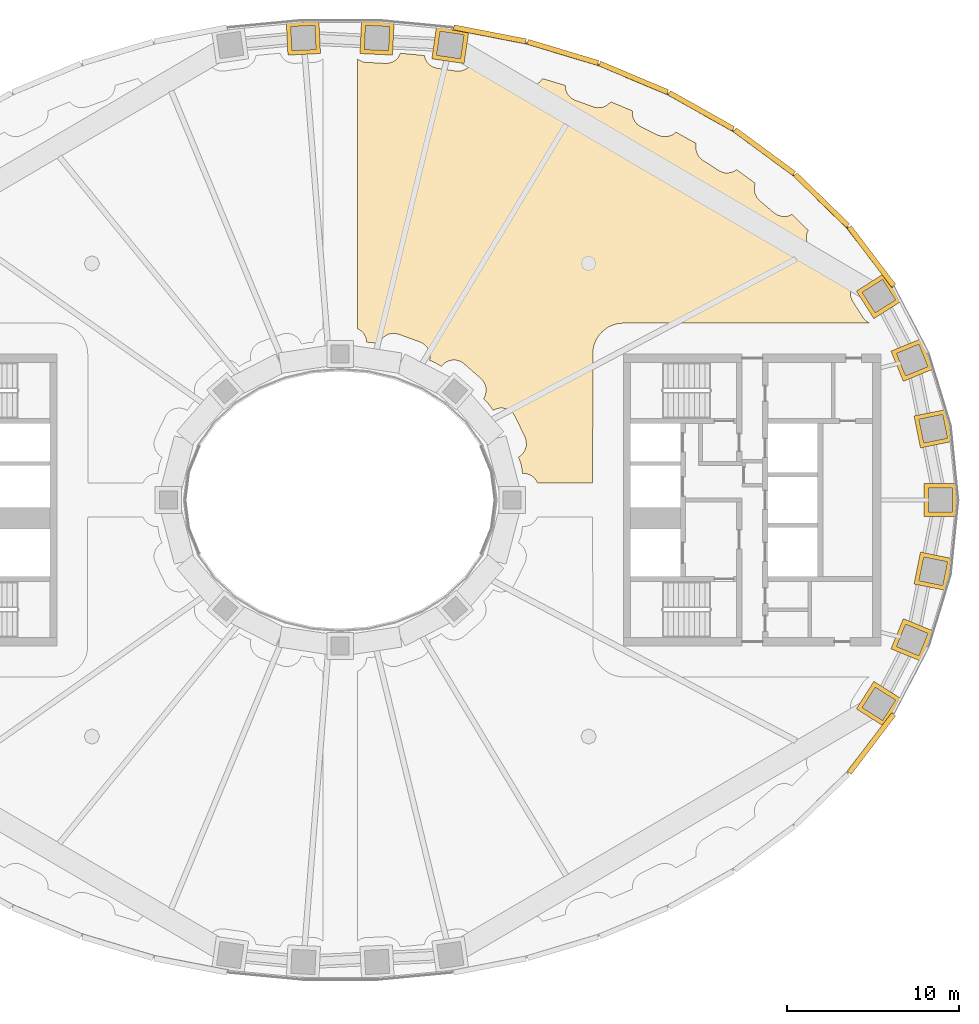
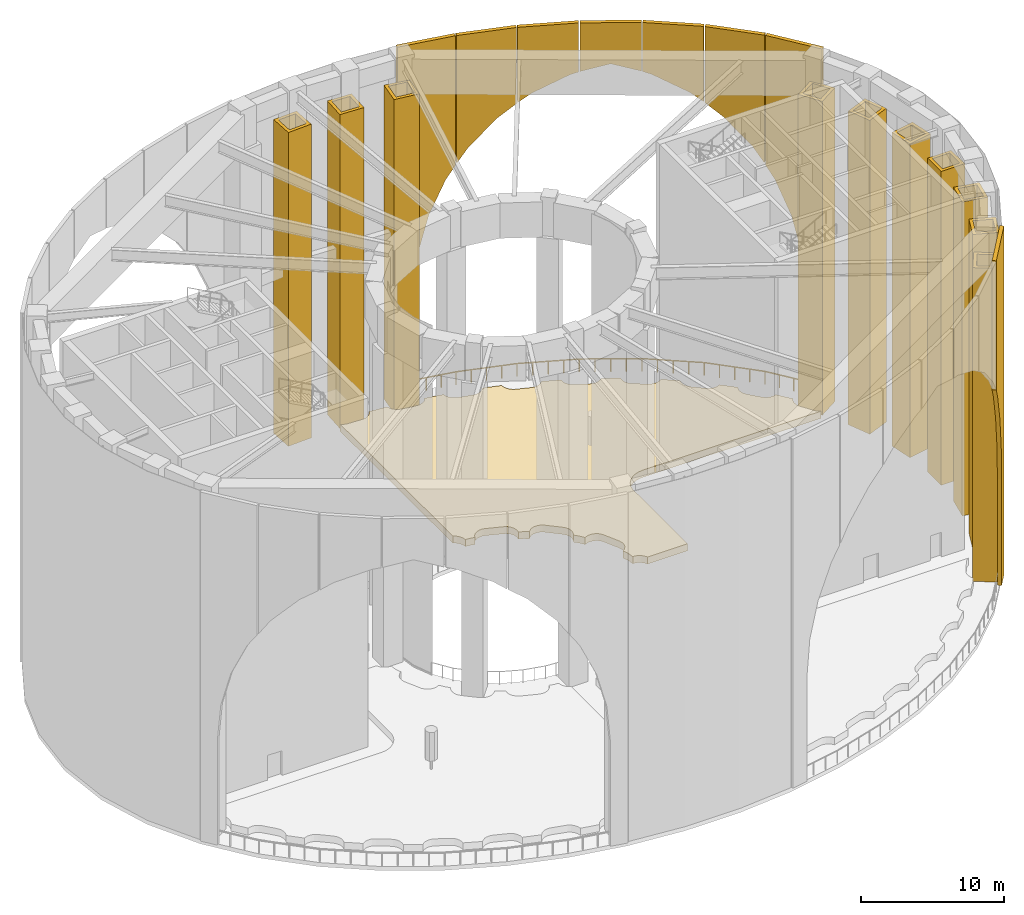
# One storey, part 25 of 26: 19 coverings, 1 railing.
"""IFC4 building model written with IfcOpenShell, lengths in metres."""

from ifc_helpers import new_model, si_unit, direction, frame, origin, origin_2d, place, context, subcontext, project, spatial, polyline, rectangle, outline, extrude, material, layer, layer_set, type_object, element, save


model = new_model("IFC4")

# Units and contexts
model_context = context("Model", 3, precision=1e-05, world=origin(), true_north=direction((0.0, 1.0)))
body_context = subcontext(model_context, "Body", "Model", "MODEL_VIEW")
ifc_project = project(units=[si_unit("LENGTHUNIT", "METRE"), si_unit("AREAUNIT", "SQUARE_METRE"), si_unit("VOLUMEUNIT", "CUBIC_METRE"), si_unit("PLANEANGLEUNIT", "RADIAN"), si_unit("MASSUNIT", "GRAM", prefix="KILO")], contexts=[model_context])

# Site, building, storey
site_placement = place(None, origin())
site = spatial("IfcSite", under=ifc_project, at=site_placement, CompositionType="ELEMENT")
building_placement = place(site_placement, origin())
building = spatial("IfcBuilding", under=site, at=building_placement, Name="Noorbagh Ring Tower", CompositionType="ELEMENT")
storey_placement = place(building_placement, frame((0.0, 0.0, 203.5)))
storey = spatial("IfcBuildingStorey", under=building, at=storey_placement, Name="L47", CompositionType="ELEMENT", Elevation=203.5)

# Railing
ifc_material_1 = material(Name="Stainless steel 316", Category="steel")
railing_type = type_object("IfcRailingType", Name="ENV-GUARD-TERRACE", PredefinedType="GUARDRAIL", material=ifc_material_1)
railing_placement = place(storey_placement, frame((32.153564453125, 12.370361328125, 0.0)))
element("IfcRailing", 1, at=railing_placement, inside=storey, type_object=railing_type, Name="Terrace guard arc 1", PredefinedType="GUARDRAIL", context=body_context, shape_type="SweptSolid", body=[
    extrude(rectangle(XDim=0.048095703125, YDim=0.048095703125, at=origin_2d()), frame((0.0, 0.0, 1.076171875), z_axis=(-0.604055847, 0.796941988921, 0.0), x_axis=(-0.796941988921, -0.604055847, 0.0)), (0.0, 0.0, 1.0), 4.3642578125),
    extrude(rectangle(XDim=0.048095703125, YDim=0.048095703125, at=origin_2d()), frame((-2.63623046875, 3.47802734375, 1.076171875), z_axis=(-0.717208327463, 0.696858820004, 0.0), x_axis=(-0.696858820004, -0.717208327463, 0.0)), (0.0, 0.0, 1.0), 4.366943359375),
    extrude(rectangle(XDim=0.048095703125, YDim=0.048095703125, at=origin_2d()), frame((-5.768310546875, 6.521240234375, 1.076171875), z_axis=(-0.80514009704, 0.593084668609, 0.0), x_axis=(-0.593084668609, -0.80514009704, 0.0)), (0.0, 0.0, 1.0), 4.369140625),
    extrude(rectangle(XDim=0.048095703125, YDim=0.048095703125, at=origin_2d()), frame((-9.2861328125, 9.112548828125, 1.076171875), z_axis=(-0.872049444011, 0.489417783903, 0.0), x_axis=(-0.489417783903, -0.872049444011, 0.0)), (0.0, 0.0, 1.0), 4.371337890625),
    extrude(rectangle(XDim=0.048095703125, YDim=0.048095703125, at=origin_2d()), frame((-13.09814453125, 11.251953125, 1.076171875), z_axis=(-0.921826545382, 0.387602657665, 0.0), x_axis=(-0.387602657665, -0.921826545382, 0.0)), (0.0, 0.0, 1.0), 4.37255859375),
    extrude(rectangle(XDim=0.048095703125, YDim=0.048095703125, at=origin_2d()), frame((-17.12890625, 12.94677734375, 1.076171875), z_axis=(-0.957572423234, 0.288192738045, 0.0), x_axis=(-0.288192738045, -0.957572423234, 0.0)), (0.0, 0.0, 1.0), 4.373779296875),
    extrude(rectangle(XDim=0.048095703125, YDim=0.048095703125, at=origin_2d()), frame((-21.317138671875, 14.207275390625, 1.076171875), z_axis=(-0.981624683619, 0.190821855429, 0.0), x_axis=(-0.190821855429, -0.981624683619, 0.0)), (0.0, 0.0, 1.0), 4.374267578125),
    extrude(rectangle(XDim=0.0419921875, YDim=0.0419921875, at=origin_2d()), origin(), (0.0, 0.0, 1.0), 1.052001953125),
    extrude(rectangle(XDim=0.0419921875, YDim=0.0419921875, at=origin_2d()), frame((-0.6591796875, 0.86962890625, 0.0)), (0.0, 0.0, 1.0), 1.052001953125),
    extrude(rectangle(XDim=0.0419921875, YDim=0.0419921875, at=origin_2d()), frame((-1.318115234375, 1.739013671875, 0.0)), (0.0, 0.0, 1.0), 1.052001953125),
    extrude(rectangle(XDim=0.0419921875, YDim=0.0419921875, at=origin_2d()), frame((-1.97705078125, 2.6083984375, 0.0)), (0.0, 0.0, 1.0), 1.052001953125),
    extrude(rectangle(XDim=0.0419921875, YDim=0.0419921875, at=origin_2d()), frame((-2.63623046875, 3.47802734375, 0.0)), (0.0, 0.0, 1.0), 1.052001953125),
    extrude(rectangle(XDim=0.0419921875, YDim=0.0419921875, at=origin_2d()), frame((-3.419189453125, 4.23876953125, 0.0)), (0.0, 0.0, 1.0), 1.052001953125),
    extrude(rectangle(XDim=0.0419921875, YDim=0.0419921875, at=origin_2d()), frame((-4.2021484375, 4.99951171875, 0.0)), (0.0, 0.0, 1.0), 1.052001953125),
    extrude(rectangle(XDim=0.0419921875, YDim=0.0419921875, at=origin_2d()), frame((-4.9853515625, 5.760498046875, 0.0)), (0.0, 0.0, 1.0), 1.052001953125),
    extrude(rectangle(XDim=0.0419921875, YDim=0.0419921875, at=origin_2d()), frame((-5.768310546875, 6.521240234375, 0.0)), (0.0, 0.0, 1.0), 1.052001953125),
    extrude(rectangle(XDim=0.0419921875, YDim=0.0419921875, at=origin_2d()), frame((-6.647705078125, 7.1689453125, 0.0)), (0.0, 0.0, 1.0), 1.052001953125),
    extrude(rectangle(XDim=0.0419921875, YDim=0.0419921875, at=origin_2d()), frame((-7.52734375, 7.81689453125, 0.0)), (0.0, 0.0, 1.0), 1.052001953125),
    extrude(rectangle(XDim=0.0419921875, YDim=0.0419921875, at=origin_2d()), frame((-8.40673828125, 8.46484375, 0.0)), (0.0, 0.0, 1.0), 1.052001953125),
    extrude(rectangle(XDim=0.0419921875, YDim=0.0419921875, at=origin_2d()), frame((-9.2861328125, 9.112548828125, 0.0)), (0.0, 0.0, 1.0), 1.052001953125),
    extrude(rectangle(XDim=0.0419921875, YDim=0.0419921875, at=origin_2d()), frame((-10.2392578125, 9.6474609375, 0.0)), (0.0, 0.0, 1.0), 1.052001953125),
    extrude(rectangle(XDim=0.0419921875, YDim=0.0419921875, at=origin_2d()), frame((-11.192138671875, 10.18212890625, 0.0)), (0.0, 0.0, 1.0), 1.052001953125),
    extrude(rectangle(XDim=0.0419921875, YDim=0.0419921875, at=origin_2d()), frame((-12.14501953125, 10.717041015625, 0.0)), (0.0, 0.0, 1.0), 1.052001953125),
    extrude(rectangle(XDim=0.0419921875, YDim=0.0419921875, at=origin_2d()), frame((-13.09814453125, 11.251953125, 0.0)), (0.0, 0.0, 1.0), 1.052001953125),
    extrude(rectangle(XDim=0.0419921875, YDim=0.0419921875, at=origin_2d()), frame((-14.10595703125, 11.67578125, 0.0)), (0.0, 0.0, 1.0), 1.052001953125),
    extrude(rectangle(XDim=0.0419921875, YDim=0.0419921875, at=origin_2d()), frame((-15.113525390625, 12.099365234375, 0.0)), (0.0, 0.0, 1.0), 1.052001953125),
    extrude(rectangle(XDim=0.0419921875, YDim=0.0419921875, at=origin_2d()), frame((-16.12109375, 12.52294921875, 0.0)), (0.0, 0.0, 1.0), 1.052001953125),
    extrude(rectangle(XDim=0.0419921875, YDim=0.0419921875, at=origin_2d()), frame((-17.12890625, 12.94677734375, 0.0)), (0.0, 0.0, 1.0), 1.052001953125),
    extrude(rectangle(XDim=0.0419921875, YDim=0.0419921875, at=origin_2d()), frame((-18.176025390625, 13.261962890625, 0.0)), (0.0, 0.0, 1.0), 1.052001953125),
    extrude(rectangle(XDim=0.0419921875, YDim=0.0419921875, at=origin_2d()), frame((-19.22314453125, 13.5771484375, 0.0)), (0.0, 0.0, 1.0), 1.052001953125),
    extrude(rectangle(XDim=0.0419921875, YDim=0.0419921875, at=origin_2d()), frame((-20.27001953125, 13.89208984375, 0.0)), (0.0, 0.0, 1.0), 1.052001953125),
    extrude(rectangle(XDim=0.0419921875, YDim=0.0419921875, at=origin_2d()), frame((-21.317138671875, 14.207275390625, 0.0)), (0.0, 0.0, 1.0), 1.052001953125),
    extrude(rectangle(XDim=0.0419921875, YDim=0.0419921875, at=origin_2d()), frame((-22.390625, 14.416015625, 0.0)), (0.0, 0.0, 1.0), 1.052001953125),
    extrude(rectangle(XDim=0.0419921875, YDim=0.0419921875, at=origin_2d()), frame((-23.464111328125, 14.62451171875, 0.0)), (0.0, 0.0, 1.0), 1.052001953125),
    extrude(rectangle(XDim=0.0419921875, YDim=0.0419921875, at=origin_2d()), frame((-24.53759765625, 14.833251953125, 0.0)), (0.0, 0.0, 1.0), 1.052001953125),
    extrude(rectangle(XDim=0.0419921875, YDim=0.0419921875, at=origin_2d()), frame((-25.611083984375, 15.0419921875, 0.0)), (0.0, 0.0, 1.0), 1.052001953125),
])

# Coverings
ifc_material_2 = material(Name="Concrete C30/37 planter with soil", Category="concrete")
covering_type_1 = type_object("IfcCoveringType", Name="ENV-PLANTER", PredefinedType="CLADDING", material=ifc_material_2)
covering_1_placement = place(storey_placement, origin())
element("IfcCovering", 2, at=covering_1_placement, inside=storey, type_object=covering_type_1, Name="PLANTER bed 04", ObjectType="PLANTER", PredefinedType="CLADDING", context=body_context, shape_type="SweptSolid", body=[
    extrude(outline(polyline([(1.0, 25.677734375), (1.265625, 25.52685546875), (1.43701171875, 25.484375), (2.62353515625, 25.423583984375), (2.7998046875, 25.432373046875), (3.052490234375, 25.509521484375), (3.20361328125, 25.600341796875), (3.39013671875, 25.787353515625), (3.51171875, 26.013916015625), (4.898193359375, 25.881591796875), (4.97412109375, 25.637451171875), (5.065185546875, 25.486328125), (5.252685546875, 25.30029296875), (5.404296875, 25.210205078125), (5.657470703125, 25.134521484375), (6.74609375, 24.97705078125), (7.01025390625, 24.97802734375), (7.2626953125, 25.0556640625), (7.481689453125, 25.203125), (7.599853515625, 25.33447265625), (7.68603515625, 25.478515625), (9.0498046875, 25.21337890625), (9.10107421875, 24.965576171875), (9.226318359375, 24.73291015625), (9.41357421875, 24.546875), (9.64697265625, 24.423095703125), (10.799560546875, 24.134033203125), (11.0625, 24.10888671875), (11.23681640625, 24.135498046875), (11.48046875, 24.2373046875), (11.621826171875, 24.343017578125), (11.78271484375, 24.53857421875), (13.10693359375, 24.139892578125), (13.132568359375, 23.89208984375), (13.233154296875, 23.64794921875), (13.400390625, 23.443603515625), (13.619873046875, 23.29638671875), (14.736572265625, 22.890380859375), (14.99560546875, 22.83837890625), (15.25830078125, 22.864013671875), (15.424560546875, 22.923095703125), (15.575927734375, 23.013427734375), (15.75341796875, 23.188232421875), (17.019775390625, 22.65576171875), (17.018798828125, 22.412353515625), (17.059326171875, 22.240478515625), (17.180908203125, 22.006103515625), (17.297607421875, 21.873779296875), (17.515380859375, 21.724365234375), (18.503662109375, 21.2412109375), (18.75537109375, 21.1611328125), (19.019287109375, 21.15771484375), (19.273193359375, 21.231201171875), (19.425537109375, 21.320068359375), (19.54296875, 21.422119140625), (20.72998046875, 20.755859375), (20.701904296875, 20.521484375), (20.74462890625, 20.260986328125), (20.861572265625, 20.024169921875), (21.0419921875, 19.831298828125), (22.0380859375, 19.183349609375), (22.278564453125, 19.07421875), (22.4521484375, 19.04248046875), (22.7158203125, 19.059814453125), (22.883544921875, 19.11376953125), (23.085205078125, 19.235595703125), (24.168212890625, 18.43798828125), (24.11328125, 18.21826171875), (24.110595703125, 18.0419921875), (24.142333984375, 17.868408203125), (24.251708984375, 17.627685546875), (24.42578125, 17.429443359375), (25.26513671875, 16.718505859375), (25.489501953125, 16.5791015625), (25.744873046875, 16.510986328125), (26.0087890625, 16.519775390625), (26.17822265625, 16.568359375), (26.302001953125, 16.6298828125), (27.25244140625, 15.706787109375), (27.19873046875, 15.59130859375), (27.15380859375, 15.420654296875), (27.150634765625, 15.156494140625), (27.224365234375, 14.903076171875), (27.368408203125, 14.681640625), (28.097412109375, 13.85791015625), (28.29931640625, 13.687744140625), (28.4580078125, 13.6103515625), (28.71630859375, 13.555908203125), (28.892578125, 13.5625), (29.10009765625, 13.617431640625), (29.886474609375, 12.580078125), (29.783203125, 12.40576171875), (29.712890625, 12.151123046875), (29.71923828125, 11.88720703125), (29.766357421875, 11.717041015625), (29.845703125, 11.5595703125), (30.4853515625, 10.55810546875), (30.607177734375, 10.430419921875), (30.80859375, 10.300048828125), (16.5, 10.300048828125), (16.148681640625, 10.265380859375), (15.9775390625, 10.222412109375), (15.651611328125, 10.08740234375), (15.5, 9.99658203125), (15.227294921875, 9.772705078125), (15.00341796875, 9.5), (14.91259765625, 9.348388671875), (14.777587890625, 9.0224609375), (14.708740234375, 8.676513671875), (14.699951171875, 1.0), (11.4873046875, 1.0), (11.35400390625, 1.220947265625), (11.158447265625, 1.398193359375), (10.919677734375, 1.51123046875), (10.74658203125, 1.545654296875), (10.61376953125, 1.550048828125), (10.55078125, 1.985595703125), (10.5126953125, 2.13134765625), (10.375244140625, 2.492431640625), (10.478515625, 2.5576171875), (10.609130859375, 2.67626953125), (10.755615234375, 2.89599609375), (10.831787109375, 3.14892578125), (10.83154296875, 3.4130859375), (10.754638671875, 3.66552734375), (10.155517578125, 4.91796875), (10.05029296875, 5.0595703125), (9.91943359375, 5.177978515625), (9.76806640625, 5.268310546875), (9.601806640625, 5.32763671875), (9.42724609375, 5.353271484375), (9.251220703125, 5.344482421875), (9.080078125, 5.30126953125), (8.904541015625, 5.222900390625), (8.61474609375, 5.61767578125), (8.341552734375, 5.884765625), (8.451416015625, 6.102294921875), (8.4990234375, 6.3623046875), (8.468994140625, 6.62451171875), (8.364501953125, 6.8671875), (8.19384765625, 7.068603515625), (7.21728515625, 7.927001953125), (7.07421875, 8.030029296875), (6.91357421875, 8.10302734375), (6.74169921875, 8.143310546875), (6.5654296875, 8.1494140625), (6.391357421875, 8.120849609375), (6.22607421875, 8.058837890625), (6.076171875, 7.9658203125), (5.88671875, 7.7763671875), (5.518798828125, 7.9990234375), (5.207275390625, 8.133544921875), (5.23388671875, 8.391357421875), (5.184326171875, 8.650634765625), (5.0615234375, 8.884521484375), (4.876220703125, 9.07275390625), (4.644287109375, 9.198974609375), (3.339111328125, 9.672119140625), (3.164794921875, 9.699462890625), (2.988525390625, 9.69189453125), (2.817138671875, 9.650390625), (2.656982421875, 9.576171875), (2.5146484375, 9.47216796875), (2.395263671875, 9.34228515625), (2.303466796875, 9.191650390625), (2.2568359375, 9.0771484375), (1.889404296875, 9.1572265625), (1.54833984375, 9.188232421875), (1.51123046875, 9.4140625), (1.398193359375, 9.65283203125), (1.220947265625, 9.8486328125), (1.0, 9.981689453125), (1.0, 25.677734375)])), origin(), (0.0, 0.0, 1.0), 0.60009765625),
])
ifc_material_3 = material(Name="Sandstone cladding", Category="masonry")
ifc_layer_1 = layer(ifc_material_3, 0.300048828125)
ifc_layer_set_1 = layer_set([ifc_layer_1], Name="Sandstone cladding")
covering_type_2 = type_object("IfcCoveringType", Name="STYLE-IWAN", PredefinedType="CLADDING", material=ifc_layer_set_1)
covering_2_placement = place(storey_placement, frame((30.811767578125, 14.0908203125, 0.0), z_axis=(0.796969018776, 0.604020184358, 0.0), x_axis=(-0.604020184358, 0.796969018776, 0.0)))
element("IfcCovering", 3, at=covering_2_placement, inside=storey, type_object=covering_type_2, Name="Gateway frame F04", ObjectType="ARCH", PredefinedType="CLADDING", context=body_context, shape_type="SweptSolid", body=[
    extrude(outline(polyline([(-2.1416015625, 0.0), (-0.846435546875, 0.0), (-0.846435546875, 9.0), (-0.5908203125, 11.985595703125), (0.16845703125, 14.884521484375), (1.409423828125, 17.61181640625), (2.1416015625, 18.687255859375), (2.1416015625, 29.699951171875), (-2.1416015625, 29.699951171875), (-2.1416015625, 0.0)])), origin(), (0.0, 0.0, 1.0), 0.300048828125),
])
covering_3_placement = place(storey_placement, frame((27.930908203125, 17.34814453125, 0.0), z_axis=(0.696842125038, 0.717224548362, 0.0), x_axis=(-0.717224548362, 0.696842125038, 0.0)))
element("IfcCovering", 4, at=covering_3_placement, inside=storey, type_object=covering_type_2, Name="Gateway frame F05", ObjectType="ARCH", PredefinedType="CLADDING", context=body_context, shape_type="SweptSolid", body=[
    extrude(outline(polyline([(-2.14208984375, 29.699951171875), (-2.14208984375, 18.833984375), (-1.287841796875, 20.088623046875), (0.795166015625, 22.242919921875), (2.14208984375, 23.227783203125), (2.14208984375, 29.699951171875), (-2.14208984375, 29.699951171875)])), origin(), (0.0, 0.0, 1.0), 0.300048828125),
])
covering_4_placement = place(storey_placement, frame((24.60888671875, 20.162841796875, 0.0), z_axis=(0.593067090304, 0.805153045326, 0.0), x_axis=(-0.805153045326, 0.593067090304, 0.0)))
element("IfcCovering", 5, at=covering_4_placement, inside=storey, type_object=covering_type_2, Name="Gateway frame F06", ObjectType="ARCH", PredefinedType="CLADDING", context=body_context, shape_type="SweptSolid", body=[
    extrude(outline(polyline([(-2.142578125, 29.699951171875), (-2.142578125, 23.301025390625), (-1.170654296875, 24.01171875), (1.513671875, 25.34375), (2.142578125, 25.53125), (2.142578125, 29.699951171875), (-2.142578125, 29.699951171875)])), origin(), (0.0, 0.0, 1.0), 0.300048828125),
])
covering_5_placement = place(storey_placement, frame((20.947021484375, 22.526123046875, 0.0), z_axis=(0.48942643941, 0.872044586249, 0.0), x_axis=(-0.872044586249, 0.48942643941, 0.0)))
element("IfcCovering", 6, at=covering_5_placement, inside=storey, type_object=covering_type_2, Name="Gateway frame F07", ObjectType="ARCH", PredefinedType="CLADDING", context=body_context, shape_type="SweptSolid", body=[
    extrude(outline(polyline([(-2.142578125, 29.699951171875), (-2.142578125, 25.56103515625), (0.0, 26.199951171875), (2.142578125, 25.56103515625), (2.142578125, 29.699951171875), (-2.142578125, 29.699951171875)])), origin(), (0.0, 0.0, 1.0), 0.300048828125),
])
covering_6_placement = place(storey_placement, frame((17.028564453125, 24.44189453125, 0.0), z_axis=(0.387638279686, 0.921811566494, 0.0), x_axis=(-0.921811566494, 0.387638279686, 0.0)))
element("IfcCovering", 7, at=covering_6_placement, inside=storey, type_object=covering_type_2, Name="Gateway frame F08", ObjectType="ARCH", PredefinedType="CLADDING", context=body_context, shape_type="SweptSolid", body=[
    extrude(outline(polyline([(-2.142822265625, 29.699951171875), (-2.142822265625, 25.53125), (-1.513916015625, 25.34375), (1.170166015625, 24.01171875), (2.142822265625, 23.30029296875), (2.142822265625, 29.699951171875), (-2.142822265625, 29.699951171875)])), origin(), (0.0, 0.0, 1.0), 0.300048828125),
])
covering_7_placement = place(storey_placement, frame((12.922119140625, 25.918701171875, 0.0), z_axis=(0.28817445525, 0.957577925467, 0.0), x_axis=(-0.957577925467, 0.28817445525, 0.0)))
element("IfcCovering", 8, at=covering_7_placement, inside=storey, type_object=covering_type_2, Name="Gateway frame F09", ObjectType="ARCH", PredefinedType="CLADDING", context=body_context, shape_type="SweptSolid", body=[
    extrude(outline(polyline([(-2.14306640625, 29.699951171875), (-2.14306640625, 23.227294921875), (-0.797119140625, 22.242919921875), (1.285888671875, 20.088623046875), (2.14306640625, 18.830078125), (2.14306640625, 29.699951171875), (-2.14306640625, 29.699951171875)])), origin(), (0.0, 0.0, 1.0), 0.300048828125),
])
covering_8_placement = place(storey_placement, frame((8.683837890625, 26.965576171875, 0.0), z_axis=(0.190820470077, 0.981624952922, 0.0), x_axis=(-0.981624952922, 0.190820470077, 0.0)))
element("IfcCovering", 9, at=covering_8_placement, inside=storey, type_object=covering_type_2, Name="Gateway frame F10", ObjectType="ARCH", PredefinedType="CLADDING", context=body_context, shape_type="SweptSolid", body=[
    extrude(outline(polyline([(-2.14306640625, 29.699951171875), (-2.14306640625, 18.68310546875), (-1.41357421875, 17.61181640625), (-0.172607421875, 14.884521484375), (0.586669921875, 11.985595703125), (0.84228515625, 9.0), (0.84228515625, 0.0), (2.14306640625, 0.0), (2.14306640625, 29.699951171875), (-2.14306640625, 29.699951171875)])), origin(), (0.0, 0.0, 1.0), 0.300048828125),
])
covering_9_placement = place(storey_placement, frame((30.811767578125, -14.0908203125, 0.0), z_axis=(0.796969018776, -0.604020184358, 0.0), x_axis=(0.604020184358, 0.796969018776, 0.0)))
element("IfcCovering", 10, at=covering_9_placement, inside=storey, type_object=covering_type_2, Name="Gateway frame F43", ObjectType="ARCH", PredefinedType="CLADDING", context=body_context, shape_type="SweptSolid", body=[
    extrude(outline(polyline([(-2.1416015625, 29.699951171875), (-2.1416015625, 18.687255859375), (-1.409423828125, 17.61181640625), (-0.16845703125, 14.884521484375), (0.5908203125, 11.985595703125), (0.846435546875, 9.0), (0.846435546875, 0.0), (2.1416015625, 0.0), (2.1416015625, 29.699951171875), (-2.1416015625, 29.699951171875)])), origin(), (0.0, 0.0, 1.0), 0.300048828125),
])
ifc_material_4 = material(Name="Sandstone cladding", Category="masonry")
ifc_layer_2 = layer(ifc_material_4, 0.25)
ifc_layer_set_2 = layer_set([ifc_layer_2], Name="Sandstone cladding")
covering_type_3 = type_object("IfcCoveringType", Name="STYLE-IWAN-PIER", PredefinedType="CLADDING", material=ifc_layer_set_2)
covering_10_placement = place(storey_placement, origin())
element("IfcCovering", 11, at=covering_10_placement, inside=storey, type_object=covering_type_3, Name="Pier casing R1-01", ObjectType="PIER", PredefinedType="CLADDING", context=body_context, shape_type="SweptSolid", body=[
    extrude(outline(polyline([(35.894775390625, -0.949951171875), (33.99462890625, -0.949951171875), (33.99462890625, 0.949951171875), (35.894775390625, 0.949951171875), (35.894775390625, -0.949951171875)]), holes=[polyline([(35.644775390625, -0.699951171875), (35.644775390625, 0.699951171875), (34.24462890625, 0.699951171875), (34.24462890625, -0.699951171875), (35.644775390625, -0.699951171875)])]), origin(), (0.0, 0.0, 1.0), 26.699951171875),
])
covering_11_placement = place(storey_placement, origin())
element("IfcCovering", 12, at=covering_11_placement, inside=storey, type_object=covering_type_3, Name="Pier casing R1-02", ObjectType="PIER", PredefinedType="CLADDING", context=body_context, shape_type="SweptSolid", body=[
    extrude(outline(polyline([(35.6455078125, 3.40673828125), (33.78271484375, 3.031982421875), (33.408203125, 4.89453125), (35.270751953125, 5.269287109375), (35.6455078125, 3.40673828125)]), holes=[polyline([(35.35107421875, 3.6025390625), (35.074951171875, 4.97509765625), (33.702392578125, 4.698974609375), (33.978515625, 3.326416015625), (35.35107421875, 3.6025390625)])]), origin(), (0.0, 0.0, 1.0), 26.699951171875),
])
covering_12_placement = place(storey_placement, origin())
element("IfcCovering", 13, at=covering_12_placement, inside=storey, type_object=covering_type_3, Name="Pier casing R1-03", ObjectType="PIER", PredefinedType="CLADDING", context=body_context, shape_type="SweptSolid", body=[
    extrude(outline(polyline([(34.54443359375, 7.630126953125), (32.7861328125, 6.91015625), (32.06591796875, 8.66845703125), (33.82421875, 9.388427734375), (34.54443359375, 7.630126953125)]), holes=[polyline([(34.21826171875, 7.766845703125), (33.687744140625, 9.0625), (32.39208984375, 8.53173828125), (32.922607421875, 7.236328125), (34.21826171875, 7.766845703125)])]), origin(), (0.0, 0.0, 1.0), 26.699951171875),
])
covering_13_placement = place(storey_placement, origin())
element("IfcCovering", 14, at=covering_13_placement, inside=storey, type_object=covering_type_3, Name="Pier casing R1-04", ObjectType="PIER", PredefinedType="CLADDING", context=body_context, shape_type="SweptSolid", body=[
    extrude(outline(polyline([(32.67578125, 11.576904296875), (31.07080078125, 10.56005859375), (30.05419921875, 12.1650390625), (31.6591796875, 13.181884765625), (32.67578125, 11.576904296875)]), holes=[polyline([(32.330810546875, 11.654296875), (31.581787109375, 12.8369140625), (30.399169921875, 12.087646484375), (31.148193359375, 10.905029296875), (32.330810546875, 11.654296875)])]), origin(), (0.0, 0.0, 1.0), 26.699951171875),
])
covering_14_placement = place(storey_placement, origin())
element("IfcCovering", 15, at=covering_14_placement, inside=storey, type_object=covering_type_3, Name="Pier casing R1-11", ObjectType="PIER", PredefinedType="CLADDING", context=body_context, shape_type="SweptSolid", body=[
    extrude(outline(polyline([(7.4853515625, 27.295166015625), (7.213623046875, 25.414794921875), (5.3330078125, 25.6865234375), (5.60498046875, 27.56689453125), (7.4853515625, 27.295166015625)]), holes=[polyline([(7.2021484375, 27.08349609375), (5.816650390625, 27.28369140625), (5.6162109375, 25.898193359375), (7.001953125, 25.697998046875), (7.2021484375, 27.08349609375)])]), origin(), (0.0, 0.0, 1.0), 26.699951171875),
])
covering_15_placement = place(storey_placement, origin())
element("IfcCovering", 16, at=covering_15_placement, inside=storey, type_object=covering_type_3, Name="Pier casing R1-12", ObjectType="PIER", PredefinedType="CLADDING", context=body_context, shape_type="SweptSolid", body=[
    extrude(outline(polyline([(3.13720703125, 27.8017578125), (3.046875, 25.90380859375), (1.149169921875, 25.994140625), (1.239501953125, 27.89208984375), (3.13720703125, 27.8017578125)]), holes=[polyline([(2.875732421875, 27.56396484375), (1.477294921875, 27.630615234375), (1.41064453125, 26.232177734375), (2.80908203125, 26.16552734375), (2.875732421875, 27.56396484375)])]), origin(), (0.0, 0.0, 1.0), 26.699951171875),
])
covering_16_placement = place(storey_placement, origin())
element("IfcCovering", 17, at=covering_16_placement, inside=storey, type_object=covering_type_3, Name="Pier casing R1-13", ObjectType="PIER", PredefinedType="CLADDING", context=body_context, shape_type="SweptSolid", body=[
    extrude(outline(polyline([(-1.239501953125, 27.89208984375), (-1.149169921875, 25.994140625), (-3.046875, 25.90380859375), (-3.13720703125, 27.8017578125), (-1.239501953125, 27.89208984375)]), holes=[polyline([(-1.477294921875, 27.630615234375), (-2.875732421875, 27.56396484375), (-2.80908203125, 26.16552734375), (-1.41064453125, 26.232177734375), (-1.477294921875, 27.630615234375)])]), origin(), (0.0, 0.0, 1.0), 26.699951171875),
])
covering_17_placement = place(storey_placement, origin())
element("IfcCovering", 18, at=covering_17_placement, inside=storey, type_object=covering_type_3, Name="Pier casing R1-44", ObjectType="PIER", PredefinedType="CLADDING", context=body_context, shape_type="SweptSolid", body=[
    extrude(outline(polyline([(31.6591796875, -13.181884765625), (30.05419921875, -12.1650390625), (31.07080078125, -10.56005859375), (32.67578125, -11.576904296875), (31.6591796875, -13.181884765625)]), holes=[polyline([(31.581787109375, -12.8369140625), (32.330810546875, -11.654296875), (31.148193359375, -10.905029296875), (30.399169921875, -12.087646484375), (31.581787109375, -12.8369140625)])]), origin(), (0.0, 0.0, 1.0), 26.699951171875),
])
covering_18_placement = place(storey_placement, origin())
element("IfcCovering", 19, at=covering_18_placement, inside=storey, type_object=covering_type_3, Name="Pier casing R1-45", ObjectType="PIER", PredefinedType="CLADDING", context=body_context, shape_type="SweptSolid", body=[
    extrude(outline(polyline([(33.82421875, -9.388427734375), (32.06591796875, -8.66845703125), (32.7861328125, -6.91015625), (34.54443359375, -7.630126953125), (33.82421875, -9.388427734375)]), holes=[polyline([(33.687744140625, -9.0625), (34.21826171875, -7.766845703125), (32.922607421875, -7.236328125), (32.39208984375, -8.53173828125), (33.687744140625, -9.0625)])]), origin(), (0.0, 0.0, 1.0), 26.699951171875),
])
covering_19_placement = place(storey_placement, origin())
element("IfcCovering", 20, at=covering_19_placement, inside=storey, type_object=covering_type_3, Name="Pier casing R1-46", ObjectType="PIER", PredefinedType="CLADDING", context=body_context, shape_type="SweptSolid", body=[
    extrude(outline(polyline([(35.270751953125, -5.269287109375), (33.408203125, -4.89453125), (33.78271484375, -3.031982421875), (35.6455078125, -3.40673828125), (35.270751953125, -5.269287109375)]), holes=[polyline([(35.074951171875, -4.97509765625), (35.35107421875, -3.6025390625), (33.978515625, -3.326416015625), (33.702392578125, -4.698974609375), (35.074951171875, -4.97509765625)])]), origin(), (0.0, 0.0, 1.0), 26.699951171875),
])

save(model, "model.ifc")
